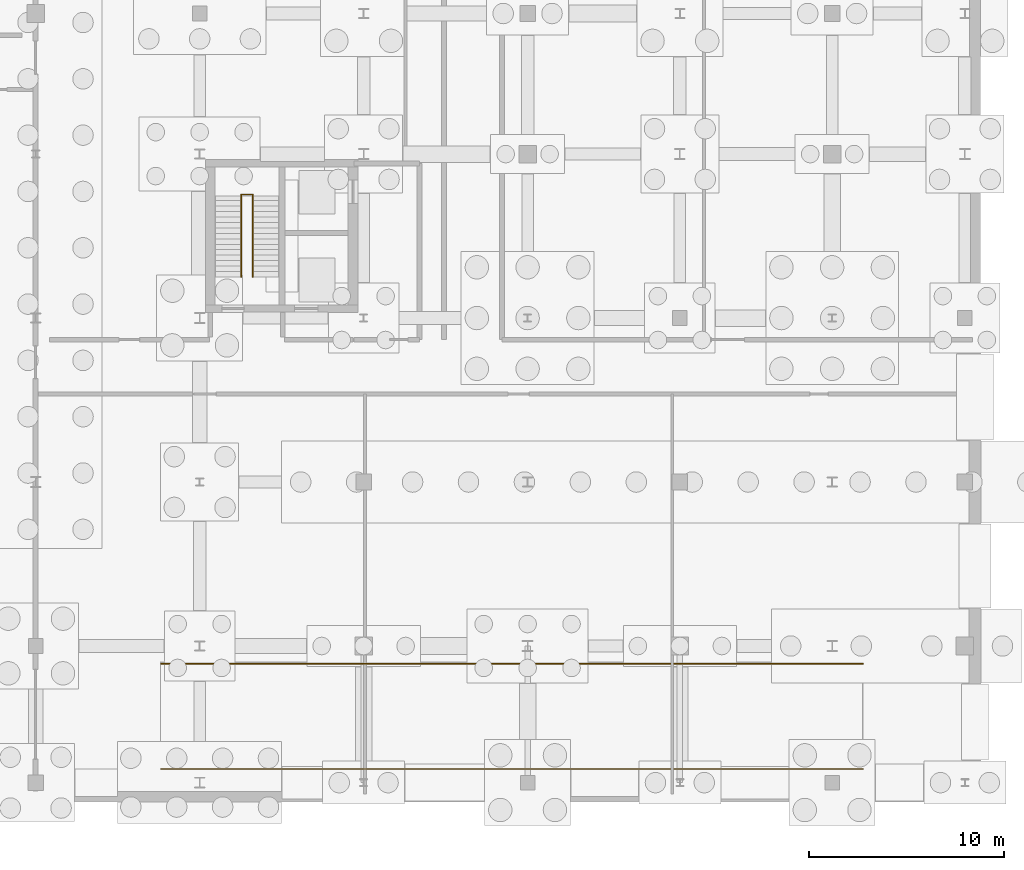
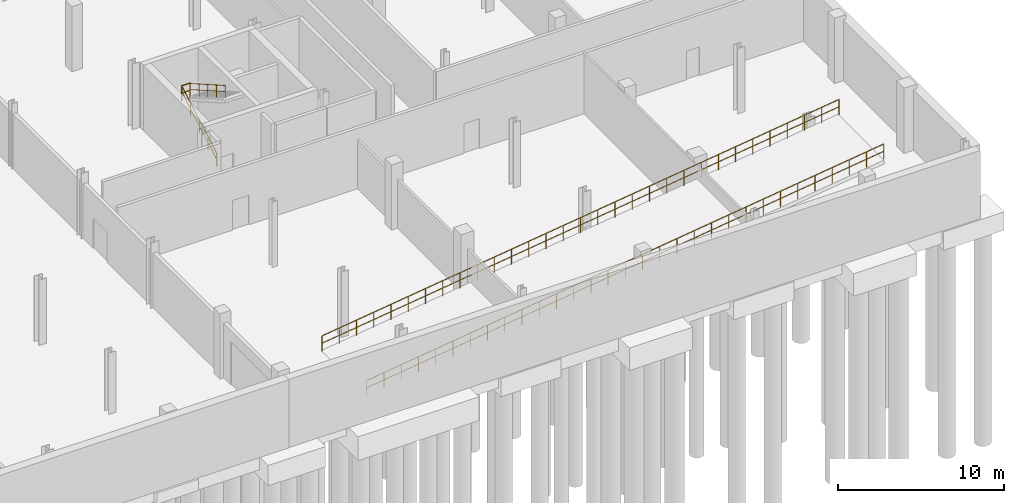
# One storey, part 30 of 32: 5 railings.
"""IFC4 building model written with IfcOpenShell, lengths in metres."""

from ifc_helpers import new_model, si_unit, direction, frame, origin_with_axes, origin_2d_with_axis, place, context, subcontext, project, spatial, circle, extrude, material, type_object, element, save


model = new_model("IFC4")

# Units and contexts
model_context = context("Model", 3, precision=1e-05, world=origin_with_axes(), true_north=direction((0.0, 1.0)))
body_context = subcontext(model_context, "Body", "Model", "MODEL_VIEW")
ifc_project = project(units=[si_unit("LENGTHUNIT", "METRE"), si_unit("AREAUNIT", "SQUARE_METRE"), si_unit("VOLUMEUNIT", "CUBIC_METRE"), si_unit("PLANEANGLEUNIT", "RADIAN"), si_unit("MASSUNIT", "GRAM", prefix="KILO"), si_unit("THERMODYNAMICTEMPERATUREUNIT", "KELVIN")], contexts=[model_context])

# Site, building, storey
site_placement = place(None, origin_with_axes())
site = spatial("IfcSite", under=ifc_project, at=site_placement, CompositionType="ELEMENT")
building_placement = place(site_placement, origin_with_axes())
building = spatial("IfcBuilding", under=site, at=building_placement, Name="Montbau Bow Law Courts", CompositionType="ELEMENT")
storey_placement = place(building_placement, frame((0.0, 0.0, -4.8), z_axis=(0.0, 0.0, 1.0), x_axis=(1.0, 0.0, 0.0)))
storey = spatial("IfcBuildingStorey", under=building, at=storey_placement, Name="B1", CompositionType="ELEMENT", Elevation=-4.8)

# Railings
ifc_material_1 = material(Name="Architectural Bronze-Finished Steel Stair Guard", Category="steel")
railing_type_1 = type_object("IfcRailingType", Name="RL-GRD-1100", PredefinedType="GUARDRAIL", material=ifc_material_1)
railing_1_placement = place(None, origin_with_axes())
element("IfcRailing", 1, at=railing_1_placement, inside=storey, type_object=railing_type_1, Name="SG-ST-C1-B1-ML:rlg_0247", PredefinedType="GUARDRAIL", context=body_context, shape_type="SweptSolid", body=[
    extrude(circle(Radius=0.0225, at=origin_2d_with_axis()), frame((132.33, 36.93, -1.298), z_axis=(1.0, 0.0, 0.0), x_axis=(0.0, 0.0, 1.0)), (0.0, 0.0, 1.0), 0.59),
    extrude(circle(Radius=0.02025, at=origin_2d_with_axis()), frame((132.33, 36.93, -1.828), z_axis=(1.0, 0.0, 0.0), x_axis=(0.0, 0.0, 1.0)), (0.0, 0.0, 1.0), 0.59),
    extrude(circle(Radius=0.02025, at=origin_2d_with_axis()), frame((132.33, 36.93, -2.4), z_axis=(0.0, 0.0, 1.0), x_axis=(1.0, 0.0, 0.0)), (0.0, 0.0, 1.0), 1.07525),
    extrude(circle(Radius=0.02025, at=origin_2d_with_axis()), frame((132.92, 36.93, -2.4), z_axis=(0.0, 0.0, 1.0), x_axis=(1.0, 0.0, 0.0)), (0.0, 0.0, 1.0), 1.07525),
])
ifc_material_2 = material(Name="Brushed Stainless Steel AISI 316L Guardrail", Category="steel")
railing_type_2 = type_object("IfcRailingType", Name="RL-GRD-1120", PredefinedType="GUARDRAIL", material=ifc_material_2)
railing_2_placement = place(None, origin_with_axes())
element("IfcRailing", 2, at=railing_2_placement, inside=storey, type_object=railing_type_2, Name="GRD-RSP1-FL-S:rlg_0296", PredefinedType="GUARDRAIL", context=body_context, shape_type="SweptSolid", body=[
    extrude(circle(Radius=0.025, at=origin_2d_with_axis()), frame((128.22, 7.5, -3.678), z_axis=(0.991208631, 0.0, 0.13230816), x_axis=(-0.13230816, 0.0, 0.991208631)), (0.0, 0.0, 1.0), 36.278942),
    extrude(circle(Radius=0.022500000000000003, at=origin_2d_with_axis()), frame((128.22, 7.5, -4.2176), z_axis=(0.991208631, 0.0, 0.13230816), x_axis=(-0.13230816, 0.0, 0.991208631)), (0.0, 0.0, 1.0), 36.278942),
    extrude(circle(Radius=0.022500000000000003, at=origin_2d_with_axis()), frame((128.22, 7.5, -4.8), z_axis=(0.0, 0.0, 1.0), x_axis=(1.0, 0.0, 0.0)), (0.0, 0.0, 1.0), 1.0925),
    extrude(circle(Radius=0.022500000000000003, at=origin_2d_with_axis()), frame((129.418667, 7.5, -4.64), z_axis=(0.0, 0.0, 1.0), x_axis=(1.0, 0.0, 0.0)), (0.0, 0.0, 1.0), 1.0925),
    extrude(circle(Radius=0.022500000000000003, at=origin_2d_with_axis()), frame((130.617333, 7.5, -4.48), z_axis=(0.0, 0.0, 1.0), x_axis=(1.0, 0.0, 0.0)), (0.0, 0.0, 1.0), 1.0925),
    extrude(circle(Radius=0.022500000000000003, at=origin_2d_with_axis()), frame((131.816, 7.5, -4.32), z_axis=(0.0, 0.0, 1.0), x_axis=(1.0, 0.0, 0.0)), (0.0, 0.0, 1.0), 1.0925),
    extrude(circle(Radius=0.022500000000000003, at=origin_2d_with_axis()), frame((133.014667, 7.5, -4.16), z_axis=(0.0, 0.0, 1.0), x_axis=(1.0, 0.0, 0.0)), (0.0, 0.0, 1.0), 1.0925),
    extrude(circle(Radius=0.022500000000000003, at=origin_2d_with_axis()), frame((134.213333, 7.5, -4.0), z_axis=(0.0, 0.0, 1.0), x_axis=(1.0, 0.0, 0.0)), (0.0, 0.0, 1.0), 1.0925),
    extrude(circle(Radius=0.022500000000000003, at=origin_2d_with_axis()), frame((135.412, 7.5, -3.84), z_axis=(0.0, 0.0, 1.0), x_axis=(1.0, 0.0, 0.0)), (0.0, 0.0, 1.0), 1.0925),
    extrude(circle(Radius=0.022500000000000003, at=origin_2d_with_axis()), frame((136.610667, 7.5, -3.68), z_axis=(0.0, 0.0, 1.0), x_axis=(1.0, 0.0, 0.0)), (0.0, 0.0, 1.0), 1.0925),
    extrude(circle(Radius=0.022500000000000003, at=origin_2d_with_axis()), frame((137.809333, 7.5, -3.52), z_axis=(0.0, 0.0, 1.0), x_axis=(1.0, 0.0, 0.0)), (0.0, 0.0, 1.0), 1.0925),
    extrude(circle(Radius=0.022500000000000003, at=origin_2d_with_axis()), frame((139.008, 7.5, -3.36), z_axis=(0.0, 0.0, 1.0), x_axis=(1.0, 0.0, 0.0)), (0.0, 0.0, 1.0), 1.0925),
    extrude(circle(Radius=0.022500000000000003, at=origin_2d_with_axis()), frame((140.206667, 7.5, -3.2), z_axis=(0.0, 0.0, 1.0), x_axis=(1.0, 0.0, 0.0)), (0.0, 0.0, 1.0), 1.0925),
    extrude(circle(Radius=0.022500000000000003, at=origin_2d_with_axis()), frame((141.405333, 7.5, -3.04), z_axis=(0.0, 0.0, 1.0), x_axis=(1.0, 0.0, 0.0)), (0.0, 0.0, 1.0), 1.0925),
    extrude(circle(Radius=0.022500000000000003, at=origin_2d_with_axis()), frame((142.604, 7.5, -2.88), z_axis=(0.0, 0.0, 1.0), x_axis=(1.0, 0.0, 0.0)), (0.0, 0.0, 1.0), 1.0925),
    extrude(circle(Radius=0.022500000000000003, at=origin_2d_with_axis()), frame((143.802667, 7.5, -2.72), z_axis=(0.0, 0.0, 1.0), x_axis=(1.0, 0.0, 0.0)), (0.0, 0.0, 1.0), 1.0925),
    extrude(circle(Radius=0.022500000000000003, at=origin_2d_with_axis()), frame((145.001333, 7.5, -2.56), z_axis=(0.0, 0.0, 1.0), x_axis=(1.0, 0.0, 0.0)), (0.0, 0.0, 1.0), 1.0925),
    extrude(circle(Radius=0.022500000000000003, at=origin_2d_with_axis()), frame((146.2, 7.5, -2.4), z_axis=(0.0, 0.0, 1.0), x_axis=(1.0, 0.0, 0.0)), (0.0, 0.0, 1.0), 1.0925),
    extrude(circle(Radius=0.022500000000000003, at=origin_2d_with_axis()), frame((147.398667, 7.5, -2.24), z_axis=(0.0, 0.0, 1.0), x_axis=(1.0, 0.0, 0.0)), (0.0, 0.0, 1.0), 1.0925),
    extrude(circle(Radius=0.022500000000000003, at=origin_2d_with_axis()), frame((148.597333, 7.5, -2.08), z_axis=(0.0, 0.0, 1.0), x_axis=(1.0, 0.0, 0.0)), (0.0, 0.0, 1.0), 1.0925),
    extrude(circle(Radius=0.022500000000000003, at=origin_2d_with_axis()), frame((149.796, 7.5, -1.92), z_axis=(0.0, 0.0, 1.0), x_axis=(1.0, 0.0, 0.0)), (0.0, 0.0, 1.0), 1.0925),
    extrude(circle(Radius=0.022500000000000003, at=origin_2d_with_axis()), frame((150.994667, 7.5, -1.76), z_axis=(0.0, 0.0, 1.0), x_axis=(1.0, 0.0, 0.0)), (0.0, 0.0, 1.0), 1.0925),
    extrude(circle(Radius=0.022500000000000003, at=origin_2d_with_axis()), frame((152.193333, 7.5, -1.6), z_axis=(0.0, 0.0, 1.0), x_axis=(1.0, 0.0, 0.0)), (0.0, 0.0, 1.0), 1.0925),
    extrude(circle(Radius=0.022500000000000003, at=origin_2d_with_axis()), frame((153.392, 7.5, -1.44), z_axis=(0.0, 0.0, 1.0), x_axis=(1.0, 0.0, 0.0)), (0.0, 0.0, 1.0), 1.0925),
    extrude(circle(Radius=0.022500000000000003, at=origin_2d_with_axis()), frame((154.590667, 7.5, -1.28), z_axis=(0.0, 0.0, 1.0), x_axis=(1.0, 0.0, 0.0)), (0.0, 0.0, 1.0), 1.0925),
    extrude(circle(Radius=0.022500000000000003, at=origin_2d_with_axis()), frame((155.789333, 7.5, -1.12), z_axis=(0.0, 0.0, 1.0), x_axis=(1.0, 0.0, 0.0)), (0.0, 0.0, 1.0), 1.0925),
    extrude(circle(Radius=0.022500000000000003, at=origin_2d_with_axis()), frame((156.988, 7.5, -0.96), z_axis=(0.0, 0.0, 1.0), x_axis=(1.0, 0.0, 0.0)), (0.0, 0.0, 1.0), 1.0925),
    extrude(circle(Radius=0.022500000000000003, at=origin_2d_with_axis()), frame((158.186667, 7.5, -0.8), z_axis=(0.0, 0.0, 1.0), x_axis=(1.0, 0.0, 0.0)), (0.0, 0.0, 1.0), 1.0925),
    extrude(circle(Radius=0.022500000000000003, at=origin_2d_with_axis()), frame((159.385333, 7.5, -0.64), z_axis=(0.0, 0.0, 1.0), x_axis=(1.0, 0.0, 0.0)), (0.0, 0.0, 1.0), 1.0925),
    extrude(circle(Radius=0.022500000000000003, at=origin_2d_with_axis()), frame((160.584, 7.5, -0.48), z_axis=(0.0, 0.0, 1.0), x_axis=(1.0, 0.0, 0.0)), (0.0, 0.0, 1.0), 1.0925),
    extrude(circle(Radius=0.022500000000000003, at=origin_2d_with_axis()), frame((161.782667, 7.5, -0.32), z_axis=(0.0, 0.0, 1.0), x_axis=(1.0, 0.0, 0.0)), (0.0, 0.0, 1.0), 1.0925),
    extrude(circle(Radius=0.022500000000000003, at=origin_2d_with_axis()), frame((162.981333, 7.5, -0.16), z_axis=(0.0, 0.0, 1.0), x_axis=(1.0, 0.0, 0.0)), (0.0, 0.0, 1.0), 1.0925),
    extrude(circle(Radius=0.022500000000000003, at=origin_2d_with_axis()), frame((164.18, 7.5, 0.0), z_axis=(0.0, 0.0, 1.0), x_axis=(1.0, 0.0, 0.0)), (0.0, 0.0, 1.0), 1.0925),
])
railing_3_placement = place(None, origin_with_axes())
element("IfcRailing", 3, at=railing_3_placement, inside=storey, type_object=railing_type_2, Name="GRD-RSP1-FL-N:rlg_0297", PredefinedType="GUARDRAIL", context=body_context, shape_type="SweptSolid", body=[
    extrude(circle(Radius=0.025, at=origin_2d_with_axis()), frame((128.22, 12.9, -3.678), z_axis=(0.991208631, 0.0, 0.13230816), x_axis=(-0.13230816, 0.0, 0.991208631)), (0.0, 0.0, 1.0), 36.278942),
    extrude(circle(Radius=0.022500000000000003, at=origin_2d_with_axis()), frame((128.22, 12.9, -4.2176), z_axis=(0.991208631, 0.0, 0.13230816), x_axis=(-0.13230816, 0.0, 0.991208631)), (0.0, 0.0, 1.0), 36.278942),
    extrude(circle(Radius=0.022500000000000003, at=origin_2d_with_axis()), frame((128.22, 12.9, -4.8), z_axis=(0.0, 0.0, 1.0), x_axis=(1.0, 0.0, 0.0)), (0.0, 0.0, 1.0), 1.0925),
    extrude(circle(Radius=0.022500000000000003, at=origin_2d_with_axis()), frame((129.418667, 12.9, -4.64), z_axis=(0.0, 0.0, 1.0), x_axis=(1.0, 0.0, 0.0)), (0.0, 0.0, 1.0), 1.0925),
    extrude(circle(Radius=0.022500000000000003, at=origin_2d_with_axis()), frame((130.617333, 12.9, -4.48), z_axis=(0.0, 0.0, 1.0), x_axis=(1.0, 0.0, 0.0)), (0.0, 0.0, 1.0), 1.0925),
    extrude(circle(Radius=0.022500000000000003, at=origin_2d_with_axis()), frame((131.816, 12.9, -4.32), z_axis=(0.0, 0.0, 1.0), x_axis=(1.0, 0.0, 0.0)), (0.0, 0.0, 1.0), 1.0925),
    extrude(circle(Radius=0.022500000000000003, at=origin_2d_with_axis()), frame((133.014667, 12.9, -4.16), z_axis=(0.0, 0.0, 1.0), x_axis=(1.0, 0.0, 0.0)), (0.0, 0.0, 1.0), 1.0925),
    extrude(circle(Radius=0.022500000000000003, at=origin_2d_with_axis()), frame((134.213333, 12.9, -4.0), z_axis=(0.0, 0.0, 1.0), x_axis=(1.0, 0.0, 0.0)), (0.0, 0.0, 1.0), 1.0925),
    extrude(circle(Radius=0.022500000000000003, at=origin_2d_with_axis()), frame((135.412, 12.9, -3.84), z_axis=(0.0, 0.0, 1.0), x_axis=(1.0, 0.0, 0.0)), (0.0, 0.0, 1.0), 1.0925),
    extrude(circle(Radius=0.022500000000000003, at=origin_2d_with_axis()), frame((136.610667, 12.9, -3.68), z_axis=(0.0, 0.0, 1.0), x_axis=(1.0, 0.0, 0.0)), (0.0, 0.0, 1.0), 1.0925),
    extrude(circle(Radius=0.022500000000000003, at=origin_2d_with_axis()), frame((137.809333, 12.9, -3.52), z_axis=(0.0, 0.0, 1.0), x_axis=(1.0, 0.0, 0.0)), (0.0, 0.0, 1.0), 1.0925),
    extrude(circle(Radius=0.022500000000000003, at=origin_2d_with_axis()), frame((139.008, 12.9, -3.36), z_axis=(0.0, 0.0, 1.0), x_axis=(1.0, 0.0, 0.0)), (0.0, 0.0, 1.0), 1.0925),
    extrude(circle(Radius=0.022500000000000003, at=origin_2d_with_axis()), frame((140.206667, 12.9, -3.2), z_axis=(0.0, 0.0, 1.0), x_axis=(1.0, 0.0, 0.0)), (0.0, 0.0, 1.0), 1.0925),
    extrude(circle(Radius=0.022500000000000003, at=origin_2d_with_axis()), frame((141.405333, 12.9, -3.04), z_axis=(0.0, 0.0, 1.0), x_axis=(1.0, 0.0, 0.0)), (0.0, 0.0, 1.0), 1.0925),
    extrude(circle(Radius=0.022500000000000003, at=origin_2d_with_axis()), frame((142.604, 12.9, -2.88), z_axis=(0.0, 0.0, 1.0), x_axis=(1.0, 0.0, 0.0)), (0.0, 0.0, 1.0), 1.0925),
    extrude(circle(Radius=0.022500000000000003, at=origin_2d_with_axis()), frame((143.802667, 12.9, -2.72), z_axis=(0.0, 0.0, 1.0), x_axis=(1.0, 0.0, 0.0)), (0.0, 0.0, 1.0), 1.0925),
    extrude(circle(Radius=0.022500000000000003, at=origin_2d_with_axis()), frame((145.001333, 12.9, -2.56), z_axis=(0.0, 0.0, 1.0), x_axis=(1.0, 0.0, 0.0)), (0.0, 0.0, 1.0), 1.0925),
    extrude(circle(Radius=0.022500000000000003, at=origin_2d_with_axis()), frame((146.2, 12.9, -2.4), z_axis=(0.0, 0.0, 1.0), x_axis=(1.0, 0.0, 0.0)), (0.0, 0.0, 1.0), 1.0925),
    extrude(circle(Radius=0.022500000000000003, at=origin_2d_with_axis()), frame((147.398667, 12.9, -2.24), z_axis=(0.0, 0.0, 1.0), x_axis=(1.0, 0.0, 0.0)), (0.0, 0.0, 1.0), 1.0925),
    extrude(circle(Radius=0.022500000000000003, at=origin_2d_with_axis()), frame((148.597333, 12.9, -2.08), z_axis=(0.0, 0.0, 1.0), x_axis=(1.0, 0.0, 0.0)), (0.0, 0.0, 1.0), 1.0925),
    extrude(circle(Radius=0.022500000000000003, at=origin_2d_with_axis()), frame((149.796, 12.9, -1.92), z_axis=(0.0, 0.0, 1.0), x_axis=(1.0, 0.0, 0.0)), (0.0, 0.0, 1.0), 1.0925),
    extrude(circle(Radius=0.022500000000000003, at=origin_2d_with_axis()), frame((150.994667, 12.9, -1.76), z_axis=(0.0, 0.0, 1.0), x_axis=(1.0, 0.0, 0.0)), (0.0, 0.0, 1.0), 1.0925),
    extrude(circle(Radius=0.022500000000000003, at=origin_2d_with_axis()), frame((152.193333, 12.9, -1.6), z_axis=(0.0, 0.0, 1.0), x_axis=(1.0, 0.0, 0.0)), (0.0, 0.0, 1.0), 1.0925),
    extrude(circle(Radius=0.022500000000000003, at=origin_2d_with_axis()), frame((153.392, 12.9, -1.44), z_axis=(0.0, 0.0, 1.0), x_axis=(1.0, 0.0, 0.0)), (0.0, 0.0, 1.0), 1.0925),
    extrude(circle(Radius=0.022500000000000003, at=origin_2d_with_axis()), frame((154.590667, 12.9, -1.28), z_axis=(0.0, 0.0, 1.0), x_axis=(1.0, 0.0, 0.0)), (0.0, 0.0, 1.0), 1.0925),
    extrude(circle(Radius=0.022500000000000003, at=origin_2d_with_axis()), frame((155.789333, 12.9, -1.12), z_axis=(0.0, 0.0, 1.0), x_axis=(1.0, 0.0, 0.0)), (0.0, 0.0, 1.0), 1.0925),
    extrude(circle(Radius=0.022500000000000003, at=origin_2d_with_axis()), frame((156.988, 12.9, -0.96), z_axis=(0.0, 0.0, 1.0), x_axis=(1.0, 0.0, 0.0)), (0.0, 0.0, 1.0), 1.0925),
    extrude(circle(Radius=0.022500000000000003, at=origin_2d_with_axis()), frame((158.186667, 12.9, -0.8), z_axis=(0.0, 0.0, 1.0), x_axis=(1.0, 0.0, 0.0)), (0.0, 0.0, 1.0), 1.0925),
    extrude(circle(Radius=0.022500000000000003, at=origin_2d_with_axis()), frame((159.385333, 12.9, -0.64), z_axis=(0.0, 0.0, 1.0), x_axis=(1.0, 0.0, 0.0)), (0.0, 0.0, 1.0), 1.0925),
    extrude(circle(Radius=0.022500000000000003, at=origin_2d_with_axis()), frame((160.584, 12.9, -0.48), z_axis=(0.0, 0.0, 1.0), x_axis=(1.0, 0.0, 0.0)), (0.0, 0.0, 1.0), 1.0925),
    extrude(circle(Radius=0.022500000000000003, at=origin_2d_with_axis()), frame((161.782667, 12.9, -0.32), z_axis=(0.0, 0.0, 1.0), x_axis=(1.0, 0.0, 0.0)), (0.0, 0.0, 1.0), 1.0925),
    extrude(circle(Radius=0.022500000000000003, at=origin_2d_with_axis()), frame((162.981333, 12.9, -0.16), z_axis=(0.0, 0.0, 1.0), x_axis=(1.0, 0.0, 0.0)), (0.0, 0.0, 1.0), 1.0925),
    extrude(circle(Radius=0.022500000000000003, at=origin_2d_with_axis()), frame((164.18, 12.9, 0.0), z_axis=(0.0, 0.0, 1.0), x_axis=(1.0, 0.0, 0.0)), (0.0, 0.0, 1.0), 1.0925),
])
ifc_material_3 = material(Name="White-Oak and Stainless Continuous Stair Handrail", Category="steel")
railing_type_3 = type_object("IfcRailingType", Name="RL-HND-0920", PredefinedType="HANDRAIL", material=ifc_material_3)
railing_4_placement = place(None, origin_with_axes())
element("IfcRailing", 4, at=railing_4_placement, inside=storey, type_object=railing_type_3, Name="HR-ST-C1-B1-1:rlg_0248", PredefinedType="HANDRAIL", context=body_context, shape_type="SweptSolid", body=[
    extrude(circle(Radius=0.021, at=origin_2d_with_axis()), frame((132.33, 32.7, -3.718), z_axis=(0.0, 0.868243142, 0.496138938), x_axis=(0.0, -0.496138938, 0.868243142)), (0.0, 0.0, 1.0), 4.837355),
    extrude(circle(Radius=0.0189, at=origin_2d_with_axis()), frame((132.33, 32.7, -4.1616), z_axis=(0.0, 0.868243142, 0.496138938), x_axis=(0.0, -0.496138938, 0.868243142)), (0.0, 0.0, 1.0), 4.837355),
    extrude(circle(Radius=0.0189, at=origin_2d_with_axis()), frame((132.33, 32.7, -4.64), z_axis=(0.0, 0.0, 1.0), x_axis=(1.0, 0.0, 0.0)), (0.0, 0.0, 1.0), 0.8969),
    extrude(circle(Radius=0.0189, at=origin_2d_with_axis()), frame((132.33, 33.75, -4.04), z_axis=(0.0, 0.0, 1.0), x_axis=(1.0, 0.0, 0.0)), (0.0, 0.0, 1.0), 0.8969),
    extrude(circle(Radius=0.0189, at=origin_2d_with_axis()), frame((132.33, 34.8, -3.44), z_axis=(0.0, 0.0, 1.0), x_axis=(1.0, 0.0, 0.0)), (0.0, 0.0, 1.0), 0.8969),
    extrude(circle(Radius=0.0189, at=origin_2d_with_axis()), frame((132.33, 35.85, -2.84), z_axis=(0.0, 0.0, 1.0), x_axis=(1.0, 0.0, 0.0)), (0.0, 0.0, 1.0), 0.8969),
    extrude(circle(Radius=0.0189, at=origin_2d_with_axis()), frame((132.33, 36.9, -2.24), z_axis=(0.0, 0.0, 1.0), x_axis=(1.0, 0.0, 0.0)), (0.0, 0.0, 1.0), 0.8969),
])
railing_5_placement = place(None, origin_with_axes())
element("IfcRailing", 5, at=railing_5_placement, inside=storey, type_object=railing_type_3, Name="HR-ST-C1-B1-2:rlg_0249", PredefinedType="HANDRAIL", context=body_context, shape_type="SweptSolid", body=[
    extrude(circle(Radius=0.021, at=origin_2d_with_axis()), frame((132.92, 36.9, -1.318), z_axis=(0.0, -0.868243142, 0.496138938), x_axis=(0.0, 0.496138938, 0.868243142)), (0.0, 0.0, 1.0), 4.837355),
    extrude(circle(Radius=0.0189, at=origin_2d_with_axis()), frame((132.92, 36.9, -1.7616), z_axis=(0.0, -0.868243142, 0.496138938), x_axis=(0.0, 0.496138938, 0.868243142)), (0.0, 0.0, 1.0), 4.837355),
    extrude(circle(Radius=0.0189, at=origin_2d_with_axis()), frame((132.92, 36.9, -2.24), z_axis=(0.0, 0.0, 1.0), x_axis=(1.0, 0.0, 0.0)), (0.0, 0.0, 1.0), 0.8969),
    extrude(circle(Radius=0.0189, at=origin_2d_with_axis()), frame((132.92, 35.85, -1.64), z_axis=(0.0, 0.0, 1.0), x_axis=(1.0, 0.0, 0.0)), (0.0, 0.0, 1.0), 0.8969),
    extrude(circle(Radius=0.0189, at=origin_2d_with_axis()), frame((132.92, 34.8, -1.04), z_axis=(0.0, 0.0, 1.0), x_axis=(1.0, 0.0, 0.0)), (0.0, 0.0, 1.0), 0.8969),
    extrude(circle(Radius=0.0189, at=origin_2d_with_axis()), frame((132.92, 33.75, -0.44), z_axis=(0.0, 0.0, 1.0), x_axis=(1.0, 0.0, 0.0)), (0.0, 0.0, 1.0), 0.8969),
    extrude(circle(Radius=0.0189, at=origin_2d_with_axis()), frame((132.92, 32.7, 0.16), z_axis=(0.0, 0.0, 1.0), x_axis=(1.0, 0.0, 0.0)), (0.0, 0.0, 1.0), 0.8969),
])

save(model, "model.ifc")
